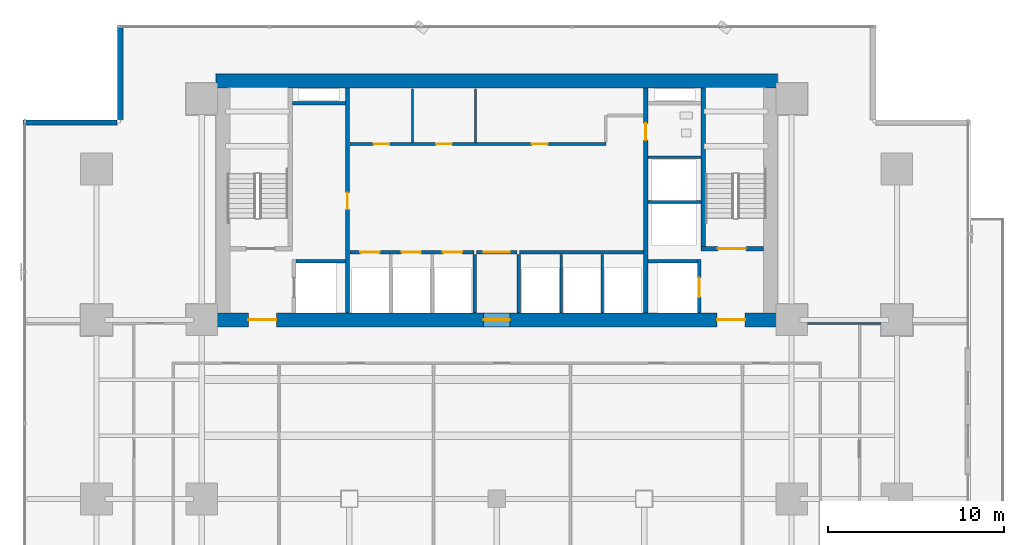
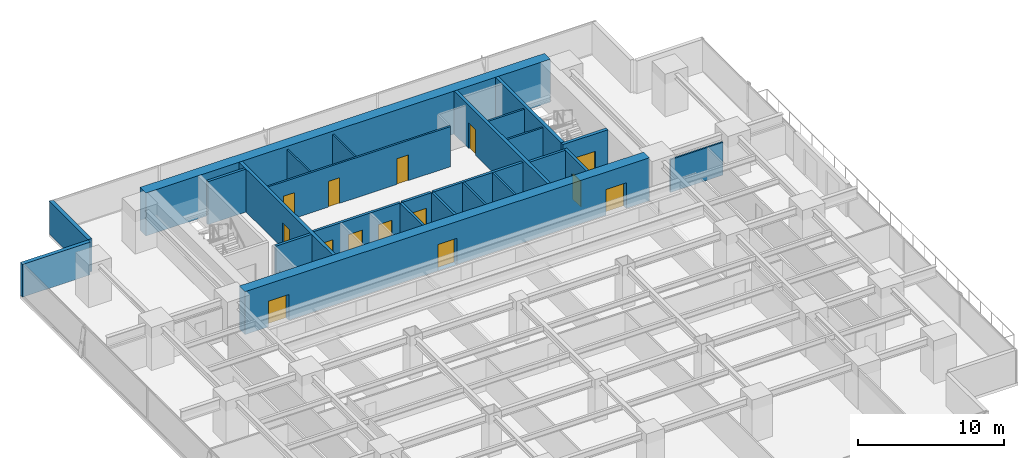
# One storey, part 26 of 33: 25 walls, 14 doors, 14 openings.
"""IFC4 building model written with IfcOpenShell, lengths in metres."""

from ifc_helpers import new_model, si_unit, direction, frame, frame_2d, origin, place, context, subcontext, project, spatial, rectangle, extrude, source, transform, mapped, material, layer, layer_set, type_object, element, fill, save


model = new_model("IFC4")

# Units and contexts
model_context = context("Model", 3, precision=1e-05, world=origin(), true_north=direction((0.0, 1.0)))
body_context = subcontext(model_context, "Body", "Model", "MODEL_VIEW")
ifc_project = project(units=[si_unit("LENGTHUNIT", "METRE"), si_unit("AREAUNIT", "SQUARE_METRE"), si_unit("VOLUMEUNIT", "CUBIC_METRE"), si_unit("PLANEANGLEUNIT", "RADIAN"), si_unit("MASSUNIT", "GRAM", prefix="KILO")], contexts=[model_context])

# Site, building, storey
site_placement = place(None, origin())
site = spatial("IfcSite", under=ifc_project, at=site_placement, CompositionType="ELEMENT")
building_placement = place(site_placement, origin())
building = spatial("IfcBuilding", under=site, at=building_placement, Name="Sumidabori Civic Tower", CompositionType="ELEMENT")
storey_placement = place(building_placement, frame((0.0, 0.0, 23.60009765625)))
storey = spatial("IfcBuildingStorey", under=building, at=storey_placement, Name="L05", CompositionType="ELEMENT", Elevation=23.60009765625)

# Wall
ifc_material_1 = material(Name="Concrete C60/75", Category="concrete")
ifc_layer_1 = layer(ifc_material_1, 0.800048828125, Name="Concrete C60/75")
ifc_layer_set_1 = layer_set([ifc_layer_1], Name="Concrete C60/75")
wall_type_1 = type_object("IfcWallType", Name="WL-CORE-800", PredefinedType="SHEAR", material=ifc_layer_set_1)
shared_shape_1 = source(origin(), body_context, "Body", "SweptSolid", [
    extrude(rectangle(XDim=32.0, YDim=0.800048828125, at=frame_2d((16.0, 0.0))), origin(), (0.0, 0.0, 1.0), 3.599853515625),
])
wall_1_placement = place(storey_placement, frame((-16.0, 23.800048828125, 0.0), z_axis=(0.0, 0.0, 1.0), x_axis=(1.0, 0.0, 0.0)))
element("IfcWall", 1, at=wall_1_placement, inside=storey, type_object=wall_type_1, Name="Core Shear Wall L05 N", PredefinedType="SHEAR", context=body_context, shape_type="MappedRepresentation", body=[
    mapped(shared_shape_1, transform((0.0, 0.0, 0.0), x_axis=(1.0, 0.0, 0.0), y_axis=(0.0, 1.0, 0.0), z_axis=(0.0, 0.0, 1.0), scale=1.0)),
])

# Wall, openings, doors
wall_2_placement = place(storey_placement, frame((-16.0, 10.199951171875, 0.0), z_axis=(0.0, 0.0, 1.0), x_axis=(1.0, 0.0, 0.0)))
wall_2 = element("IfcWall", 2, at=wall_2_placement, inside=storey, type_object=wall_type_1, Name="Core Shear Wall L05 S", PredefinedType="SHEAR", context=body_context, shape_type="MappedRepresentation", body=[
    mapped(shared_shape_1, transform((0.0, 0.0, 0.0), x_axis=(1.0, 0.0, 0.0), y_axis=(0.0, 1.0, 0.0), z_axis=(0.0, 0.0, 1.0), scale=1.0)),
])
opening_1_placement = place(wall_2_placement, frame((1.85009765625, 0.0, 0.0)))
opening_1 = element("IfcOpeningElement", 3, at=opening_1_placement, cuts=wall_2, Name="Opening DR-FD4", PredefinedType="OPENING", context=body_context, shape_type="SweptSolid", body=[
    extrude(rectangle(XDim=1.60009765625, YDim=2.14990234375, at=frame_2d((0.800048828125, 1.074951171875))), frame((0.0, 0.412109375, 0.0), z_axis=(0.0, -1.0, 0.0), x_axis=(1.0, 0.0, 0.0)), (0.0, 0.0, 1.0), 0.823974609375),
])
opening_2_placement = place(wall_2_placement, frame((28.550048828125, 0.0, 0.0)))
opening_2 = element("IfcOpeningElement", 4, at=opening_2_placement, cuts=wall_2, Name="Opening DR-FD4", PredefinedType="OPENING", context=body_context, shape_type="SweptSolid", body=[
    extrude(rectangle(XDim=1.60009765625, YDim=2.14990234375, at=frame_2d((0.800048828125, 1.074951171875))), frame((0.0, 0.412109375, 0.0), z_axis=(0.0, -1.0, 0.0), x_axis=(1.0, 0.0, 0.0)), (0.0, 0.0, 1.0), 0.823974609375),
])
opening_3_placement = place(wall_2_placement, frame((15.25, 0.0, 0.0)))
opening_3 = element("IfcOpeningElement", 5, at=opening_3_placement, cuts=wall_2, Name="Opening DR-FD3", PredefinedType="OPENING", context=body_context, shape_type="SweptSolid", body=[
    extrude(rectangle(XDim=1.5, YDim=2.199951171875, at=frame_2d((0.75, 1.10009765625))), frame((0.0, 0.412109375, 0.0), z_axis=(0.0, -1.0, 0.0), x_axis=(1.0, 0.0, 0.0)), (0.0, 0.0, 1.0), 0.823974609375),
])
ifc_material_2 = material(Name="Steel SN490", Category="steel")
door_type_1 = type_object("IfcDoorType", Name="DR-FD4", OperationType="DOUBLE_DOOR_SINGLE_SWING", PredefinedType="DOOR", material=ifc_material_2)
shared_shape_2 = source(origin(), body_context, "Body", "SweptSolid", [
    extrude(rectangle(XDim=1.60009765625, YDim=2.14990234375, at=frame_2d((0.800048828125, 1.074951171875))), frame((0.0, 0.02490234375, 0.0), z_axis=(0.0, -1.0, 0.0), x_axis=(1.0, 0.0, 0.0)), (0.0, 0.0, 1.0), 0.050048828125),
])
door_1_placement = place(opening_1_placement, origin())
door_1 = element("IfcDoor", 6, at=door_1_placement, inside=storey, type_object=door_type_1, Name="Door DR:L05:ELOB-W", OperationType="DOUBLE_DOOR_SINGLE_SWING", OverallHeight=2.14990234375, OverallWidth=1.60009765625, PredefinedType="DOOR", context=body_context, shape_type="MappedRepresentation", body=[
    mapped(shared_shape_2, transform((0.0, 0.0, 0.0), x_axis=(1.0, 0.0, 0.0), y_axis=(0.0, 1.0, 0.0), z_axis=(0.0, 0.0, 1.0), scale=1.0)),
])
fill(opening_1, door_1)
door_2_placement = place(opening_2_placement, origin())
door_2 = element("IfcDoor", 7, at=door_2_placement, inside=storey, type_object=door_type_1, Name="Door DR:L05:ELOB-E", OperationType="DOUBLE_DOOR_SINGLE_SWING", OverallHeight=2.14990234375, OverallWidth=1.60009765625, PredefinedType="DOOR", context=body_context, shape_type="MappedRepresentation", body=[
    mapped(shared_shape_2, transform((0.0, 0.0, 0.0), x_axis=(1.0, 0.0, 0.0), y_axis=(0.0, 1.0, 0.0), z_axis=(0.0, 0.0, 1.0), scale=1.0)),
])
fill(opening_2, door_2)
door_type_2 = type_object("IfcDoorType", Name="DR-FD-DBL", OperationType="DOUBLE_DOOR_SINGLE_SWING", PredefinedType="DOOR", material=ifc_material_2)
shared_shape_3 = source(origin(), body_context, "Body", "SweptSolid", [
    extrude(rectangle(XDim=1.5, YDim=2.199951171875, at=frame_2d((0.75, 1.10009765625))), frame((0.0, 0.02490234375, 0.0), z_axis=(0.0, -1.0, 0.0), x_axis=(1.0, 0.0, 0.0)), (0.0, 0.0, 1.0), 0.050048828125),
])
door_3_placement = place(opening_3_placement, origin())
door_3 = element("IfcDoor", 8, at=door_3_placement, inside=storey, type_object=door_type_2, Name="Door DR:L05:THROAT-OUT", OperationType="DOUBLE_DOOR_SINGLE_SWING", OverallHeight=2.199951171875, OverallWidth=1.5, PredefinedType="DOOR", context=body_context, shape_type="MappedRepresentation", body=[
    mapped(shared_shape_3, transform((0.0, 0.0, 0.0), x_axis=(1.0, 0.0, 0.0), y_axis=(0.0, 1.0, 0.0), z_axis=(0.0, 0.0, 1.0), scale=1.0)),
])
fill(opening_3, door_3)

# Wall, opening, door
ifc_material_3 = material(Name="Concrete C50/60", Category="concrete")
ifc_layer_2 = layer(ifc_material_3, 0.25, Name="Concrete C50/60")
ifc_layer_set_2 = layer_set([ifc_layer_2], Name="Concrete C50/60")
wall_type_2 = type_object("IfcWallType", Name="WL-SHAFT-250", PredefinedType="SHEAR", material=ifc_layer_set_2)
shared_shape_4 = source(origin(), body_context, "Body", "SweptSolid", [
    extrude(rectangle(XDim=12.7998046875, YDim=0.25, at=frame_2d((6.39990234375, 0.0))), origin(), (0.0, 0.0, 1.0), 3.599853515625),
])
wall_3_placement = place(storey_placement, frame((-8.5, 10.60009765625, 0.0), z_axis=(0.0, 0.0, 1.0), x_axis=(0.0, 1.0, 0.0)))
wall_3 = element("IfcWall", 9, at=wall_3_placement, inside=storey, type_object=wall_type_2, Name="Core Shear Wall L05 WEB-W", PredefinedType="SHEAR", context=body_context, shape_type="MappedRepresentation", body=[
    mapped(shared_shape_4, transform((0.0, 0.0, 0.0), x_axis=(1.0, 0.0, 0.0), y_axis=(0.0, 1.0, 0.0), z_axis=(0.0, 0.0, 1.0), scale=1.0)),
])
opening_4_placement = place(wall_3_placement, frame((5.89990234375, 0.0, 0.0)))
opening_4 = element("IfcOpeningElement", 10, at=opening_4_placement, cuts=wall_3, Name="Opening DR-FD2", PredefinedType="OPENING", context=body_context, shape_type="SweptSolid", body=[
    extrude(rectangle(XDim=0.949951171875, YDim=2.14990234375, at=frame_2d((0.47509765625, 1.074951171875))), frame((0.0, 0.136962890625, 0.0), z_axis=(0.0, -1.0, 0.0), x_axis=(1.0, 0.0, 0.0)), (0.0, 0.0, 1.0), 0.27392578125),
])
door_type_3 = type_object("IfcDoorType", Name="DR-FD2", OperationType="NOTDEFINED", PredefinedType="DOOR", material=ifc_material_2)
shared_shape_5 = source(origin(), body_context, "Body", "SweptSolid", [
    extrude(rectangle(XDim=0.949951171875, YDim=2.14990234375, at=frame_2d((0.47509765625, 1.074951171875))), frame((0.0, 0.02490234375, 0.0), z_axis=(0.0, -1.0, 0.0), x_axis=(1.0, 0.0, 0.0)), (0.0, 0.0, 1.0), 0.050048828125),
])
door_4_placement = place(opening_4_placement, origin())
door_4 = element("IfcDoor", 11, at=door_4_placement, inside=storey, type_object=door_type_3, Name="Door DR:L05:CW-STR", OperationType="SINGLE_SWING_LEFT", OverallHeight=2.14990234375, OverallWidth=0.949951171875, PredefinedType="DOOR", context=body_context, shape_type="MappedRepresentation", body=[
    mapped(shared_shape_5, transform((0.0, 0.0, 0.0), x_axis=(1.0, 0.0, 0.0), y_axis=(0.0, 1.0, 0.0), z_axis=(0.0, 0.0, 1.0), scale=1.0)),
])
fill(opening_4, door_4)

wall_4_placement = place(storey_placement, frame((8.5, 10.60009765625, 0.0), z_axis=(0.0, 0.0, 1.0), x_axis=(0.0, 1.0, 0.0)))
wall_4 = element("IfcWall", 12, at=wall_4_placement, inside=storey, type_object=wall_type_2, Name="Core Shear Wall L05 WEB-E", PredefinedType="SHEAR", context=body_context, shape_type="MappedRepresentation", body=[
    mapped(shared_shape_4, transform((0.0, 0.0, 0.0), x_axis=(1.0, 0.0, 0.0), y_axis=(0.0, 1.0, 0.0), z_axis=(0.0, 0.0, 1.0), scale=1.0)),
])
opening_5_placement = place(wall_4_placement, frame((9.85009765625, 0.0, 0.0)))
opening_5 = element("IfcOpeningElement", 13, at=opening_5_placement, cuts=wall_4, Name="Opening DR-2", PredefinedType="OPENING", context=body_context, shape_type="SweptSolid", body=[
    extrude(rectangle(XDim=0.949951171875, YDim=2.14990234375, at=frame_2d((0.47509765625, 1.074951171875))), frame((0.0, 0.136962890625, 0.0), z_axis=(0.0, -1.0, 0.0), x_axis=(1.0, 0.0, 0.0)), (0.0, 0.0, 1.0), 0.27392578125),
])
ifc_material_4 = material(Name="Japanese Hinoki Timber", Category="wood")
door_type_4 = type_object("IfcDoorType", Name="DR-INT-950", OperationType="NOTDEFINED", PredefinedType="DOOR", material=ifc_material_4)
shared_shape_6 = source(origin(), body_context, "Body", "SweptSolid", [
    extrude(rectangle(XDim=0.949951171875, YDim=2.14990234375, at=frame_2d((0.47509765625, 1.074951171875))), frame((0.0, 0.02490234375, 0.0), z_axis=(0.0, -1.0, 0.0), x_axis=(1.0, 0.0, 0.0)), (0.0, 0.0, 1.0), 0.050048828125),
])
door_5_placement = place(opening_5_placement, origin())
door_5 = element("IfcDoor", 14, at=door_5_placement, inside=storey, type_object=door_type_4, Name="Door DR:L05:WC-ACC", OperationType="SINGLE_SWING_RIGHT", OverallHeight=2.14990234375, OverallWidth=0.949951171875, PredefinedType="DOOR", context=body_context, shape_type="MappedRepresentation", body=[
    mapped(shared_shape_6, transform((0.0, 0.0, 0.0), x_axis=(1.0, 0.0, 0.0), y_axis=(0.0, 1.0, 0.0), z_axis=(0.0, 0.0, 1.0), scale=1.0)),
])
fill(opening_5, door_5)

shared_shape_7 = source(origin(), body_context, "Body", "SweptSolid", [
    extrude(rectangle(XDim=3.554931640625, YDim=0.25, at=frame_2d((1.77734375, 0.0))), origin(), (0.0, 0.0, 1.0), 3.599853515625),
])
wall_5_placement = place(storey_placement, frame((11.64501953125, 14.25, 0.0), z_axis=(0.0, 0.0, 1.0), x_axis=(1.0, 0.0, 0.0)))
wall_5 = element("IfcWall", 15, at=wall_5_placement, inside=storey, type_object=wall_type_2, Name="Core Shear Wall L05 ST2-S", PredefinedType="SHEAR", context=body_context, shape_type="MappedRepresentation", body=[
    mapped(shared_shape_7, transform((0.0, 0.0, 0.0), x_axis=(1.0, 0.0, 0.0), y_axis=(0.0, 1.0, 0.0), z_axis=(0.0, 0.0, 1.0), scale=1.0)),
])
opening_6_placement = place(wall_5_placement, frame((0.949951171875, 0.0, 0.0)))
opening_6 = element("IfcOpeningElement", 16, at=opening_6_placement, cuts=wall_5, Name="Opening DR-FD4", PredefinedType="OPENING", context=body_context, shape_type="SweptSolid", body=[
    extrude(rectangle(XDim=1.60009765625, YDim=2.14990234375, at=frame_2d((0.800048828125, 1.074951171875))), frame((0.0, 0.136962890625, 0.0), z_axis=(0.0, -1.0, 0.0), x_axis=(1.0, 0.0, 0.0)), (0.0, 0.0, 1.0), 0.27392578125),
])
door_6_placement = place(opening_6_placement, origin())
door_6 = element("IfcDoor", 17, at=door_6_placement, inside=storey, type_object=door_type_1, Name="Door DR:L05:ST2", OperationType="DOUBLE_DOOR_SINGLE_SWING", OverallHeight=2.14990234375, OverallWidth=1.60009765625, PredefinedType="DOOR", context=body_context, shape_type="MappedRepresentation", body=[
    mapped(shared_shape_2, transform((0.0, 0.0, 0.0), x_axis=(1.0, 0.0, 0.0), y_axis=(0.0, 1.0, 0.0), z_axis=(0.0, 0.0, 1.0), scale=1.0)),
])
fill(opening_6, door_6)

# Wall
shared_shape_8 = source(origin(), body_context, "Body", "SweptSolid", [
    extrude(rectangle(XDim=9.02490234375, YDim=0.25, at=frame_2d((4.512451171875, 0.0))), origin(), (0.0, 0.0, 1.0), 3.599853515625),
])
wall_6_placement = place(storey_placement, frame((11.77001953125, 14.375, 0.0), z_axis=(0.0, 0.0, 1.0), x_axis=(0.0, 1.0, 0.0)))
element("IfcWall", 18, at=wall_6_placement, inside=storey, type_object=wall_type_2, Name="Core Shear Wall L05 ST2-W", PredefinedType="SHEAR", context=body_context, shape_type="MappedRepresentation", body=[
    mapped(shared_shape_8, transform((0.0, 0.0, 0.0), x_axis=(1.0, 0.0, 0.0), y_axis=(0.0, 1.0, 0.0), z_axis=(0.0, 0.0, 1.0), scale=1.0)),
])

# Wall, opening, door
ifc_layer_3 = layer(ifc_material_3, 0.199951171875, Name="Concrete C50/60")
ifc_layer_set_3 = layer_set([ifc_layer_3], Name="Concrete C50/60")
wall_type_3 = type_object("IfcWallType", Name="WL-SHAFT-200", PredefinedType="SHEAR", material=ifc_layer_set_3)
shared_shape_9 = source(origin(), body_context, "Body", "SweptSolid", [
    extrude(rectangle(XDim=3.0498046875, YDim=0.199951171875, at=frame_2d((1.52490234375, 0.0))), origin(), (0.0, 0.0, 1.0), 3.599853515625),
])
wall_7_placement = place(storey_placement, frame((11.550048828125, 10.60009765625, 0.0), z_axis=(0.0, 0.0, 1.0), x_axis=(0.0, 1.0, 0.0)))
wall_7 = element("IfcWall", 19, at=wall_7_placement, inside=storey, type_object=wall_type_3, Name="Core Shear Wall L05 EL2-E", PredefinedType="SHEAR", context=body_context, shape_type="MappedRepresentation", body=[
    mapped(shared_shape_9, transform((0.0, 0.0, 0.0), x_axis=(1.0, 0.0, 0.0), y_axis=(0.0, 1.0, 0.0), z_axis=(0.0, 0.0, 1.0), scale=1.0)),
])
opening_7_placement = place(wall_7_placement, frame((0.89990234375, 0.0, 0.0)))
opening_7 = element("IfcOpeningElement", 20, at=opening_7_placement, cuts=wall_7, Name="Opening LD-2", PredefinedType="OPENING", context=body_context, shape_type="SweptSolid", body=[
    extrude(rectangle(XDim=1.10009765625, YDim=2.14990234375, at=frame_2d((0.550048828125, 1.074951171875))), frame((0.0, 0.11181640625, 0.0), z_axis=(0.0, -1.0, 0.0), x_axis=(1.0, 0.0, 0.0)), (0.0, 0.0, 1.0), 0.223876953125),
])
ifc_material_5 = material(Name="Stainless Steel Hairline Finish", Category="steel")
door_type_5 = type_object("IfcDoorType", Name="DR-LD2", OperationType="DOUBLE_DOOR_SLIDING", PredefinedType="DOOR", material=ifc_material_5)
shared_shape_10 = source(origin(), body_context, "Body", "SweptSolid", [
    extrude(rectangle(XDim=1.10009765625, YDim=2.14990234375, at=frame_2d((0.550048828125, 1.074951171875))), frame((0.0, 0.02490234375, 0.0), z_axis=(0.0, -1.0, 0.0), x_axis=(1.0, 0.0, 0.0)), (0.0, 0.0, 1.0), 0.050048828125),
])
door_7_placement = place(opening_7_placement, origin())
door_7 = element("IfcDoor", 21, at=door_7_placement, inside=storey, type_object=door_type_5, Name="Door DR:L05:LD-EL2", OperationType="DOUBLE_DOOR_SLIDING", OverallHeight=2.14990234375, OverallWidth=1.10009765625, PredefinedType="DOOR", context=body_context, shape_type="MappedRepresentation", body=[
    mapped(shared_shape_10, transform((0.0, 0.0, 0.0), x_axis=(1.0, 0.0, 0.0), y_axis=(0.0, 1.0, 0.0), z_axis=(0.0, 0.0, 1.0), scale=1.0)),
])
fill(opening_7, door_7)

# Walls
shared_shape_11 = source(origin(), body_context, "Body", "SweptSolid", [
    extrude(rectangle(XDim=2.824951171875, YDim=0.199951171875, at=frame_2d((1.41259765625, 0.0))), origin(), (0.0, 0.0, 1.0), 3.599853515625),
])
for number, where, z_axis, x_axis, name in (
    (22, (-11.449951171875, 13.550048828125, 0.0), (0.0, 0.0, 1.0), (1.0, 0.0, 0.0), "Core Shear Wall L05 EL1-N"),
    (23, (8.625, 13.550048828125, 0.0), (0.0, 0.0, 1.0), (1.0, 0.0, 0.0), "Core Shear Wall L05 EL2-N"),
):
    element("IfcWall", number, at=place(storey_placement, frame(where, z_axis=z_axis, x_axis=x_axis)), inside=storey, type_object=wall_type_3, Name=name, PredefinedType="SHEAR", context=body_context, shape_type="MappedRepresentation", body=[
        mapped(shared_shape_11, transform((0.0, 0.0, 0.0), x_axis=(1.0, 0.0, 0.0), y_axis=(0.0, 1.0, 0.0), z_axis=(0.0, 0.0, 1.0), scale=1.0)),
    ])
shared_shape_12 = source(origin(), body_context, "Body", "SweptSolid", [
    extrude(rectangle(XDim=3.02001953125, YDim=0.199951171875, at=frame_2d((1.510009765625, 0.0))), origin(), (0.0, 0.0, 1.0), 3.599853515625),
])
wall_8_placement = place(storey_placement, frame((-11.64501953125, 22.550048828125, 0.0), z_axis=(0.0, 0.0, 1.0), x_axis=(1.0, 0.0, 0.0)))
element("IfcWall", 24, at=wall_8_placement, inside=storey, type_object=wall_type_3, Name="Core Shear Wall L05 RIS1-S", PredefinedType="SHEAR", context=body_context, shape_type="MappedRepresentation", body=[
    mapped(shared_shape_12, transform((0.0, 0.0, 0.0), x_axis=(1.0, 0.0, 0.0), y_axis=(0.0, 1.0, 0.0), z_axis=(0.0, 0.0, 1.0), scale=1.0)),
])
ifc_material_6 = material(Name="Precast concrete C40/50", Category="concrete")
ifc_layer_4 = layer(ifc_material_6, 0.300048828125, Name="Precast concrete C40/50")
ifc_layer_set_4 = layer_set([ifc_layer_4], Name="Precast concrete C40/50")
wall_type_4 = type_object("IfcWallType", Name="WL-EXT-POD300", PredefinedType="STANDARD", material=ifc_layer_set_4)
shared_shape_13 = source(origin(), body_context, "Body", "SweptSolid", [
    extrude(rectangle(XDim=5.35986328125, YDim=0.300048828125, at=frame_2d((2.679931640625, 0.0))), origin(), (0.0, 0.0, 1.0), 2.739990234375),
])
for number, where, z_axis, x_axis, name in (
    (25, (-21.449951171875, 26.97998046875, 0.0), (0.0, 0.0, 1.0), (0.0, -1.0, 0.0), "Notched Corner Spandrel Band L05-09"),
    (26, (-21.6201171875, 21.449951171875, 0.0), (0.0, 0.0, 1.0), (-1.0, 0.0, 0.0), "Notched Corner Spandrel Band L05-10"),
):
    element("IfcWall", number, at=place(storey_placement, frame(where, z_axis=z_axis, x_axis=x_axis)), inside=storey, type_object=wall_type_4, Name=name, PredefinedType="STANDARD", context=body_context, shape_type="MappedRepresentation", body=[
        mapped(shared_shape_13, transform((0.0, 0.0, 0.0), x_axis=(1.0, 0.0, 0.0), y_axis=(0.0, 1.0, 0.0), z_axis=(0.0, 0.0, 1.0), scale=1.0)),
    ])
ifc_material_7 = material(Name="Gypsum Plasterboard Acoustic Partition")
ifc_layer_5 = layer(ifc_material_7, 0.14990234375, Name="Gypsum Plasterboard Acoustic Partition")
ifc_layer_set_5 = layer_set([ifc_layer_5], Name="Gypsum Plasterboard Acoustic Partition")
wall_type_5 = type_object("IfcWallType", Name="WL-PART-150", PredefinedType="PARTITIONING", material=ifc_layer_set_5)
shared_shape_14 = source(origin(), body_context, "Body", "SweptSolid", [
    extrude(rectangle(XDim=3.010009765625, YDim=0.14990234375, at=frame_2d((1.5048828125, 0.0))), origin(), (0.0, 0.0, 1.0), 3.35986328125),
])
for number, where, z_axis, x_axis, name in (
    (27, (8.6298828125, 16.919921875, 0.0), (0.0, 0.0, 1.0), (1.0, 0.0, 0.0), "Interior Partition WL:L05:DIV-OBS1"),
    (28, (8.6298828125, 19.469970703125, 0.0), (0.0, 0.0, 1.0), (1.0, 0.0, 0.0), "Interior Partition WL:L05:DIV-OBS2"),
):
    element("IfcWall", number, at=place(storey_placement, frame(where, z_axis=z_axis, x_axis=x_axis)), inside=storey, type_object=wall_type_5, Name=name, PredefinedType="PARTITIONING", context=body_context, shape_type="MappedRepresentation", body=[
        mapped(shared_shape_14, transform((0.0, 0.0, 0.0), x_axis=(1.0, 0.0, 0.0), y_axis=(0.0, 1.0, 0.0), z_axis=(0.0, 0.0, 1.0), scale=1.0)),
    ])

# Wall, openings, doors
ifc_material_8 = material(Name="Gypsum Plasterboard Fire Partition")
ifc_layer_6 = layer(ifc_material_8, 0.199951171875, Name="Gypsum Plasterboard Fire Partition")
ifc_layer_set_6 = layer_set([ifc_layer_6], Name="Gypsum Plasterboard Fire Partition")
wall_type_6 = type_object("IfcWallType", Name="WL-PART-FIRE", PredefinedType="PARTITIONING", material=ifc_layer_set_6)
shared_shape_15 = source(origin(), body_context, "Body", "SweptSolid", [
    extrude(rectangle(XDim=7.070068359375, YDim=0.199951171875, at=frame_2d((3.53515625, 0.0))), origin(), (0.0, 0.0, 1.0), 3.35986328125),
])
wall_9_placement = place(storey_placement, frame((-8.3701171875, 14.050048828125, 0.0), z_axis=(0.0, 0.0, 1.0), x_axis=(1.0, 0.0, 0.0)))
wall_9 = element("IfcWall", 29, at=wall_9_placement, inside=storey, type_object=wall_type_6, Name="Interior Partition WL:L05:CBAND-SW", PredefinedType="PARTITIONING", context=body_context, shape_type="MappedRepresentation", body=[
    mapped(shared_shape_15, transform((0.0, 0.0, 0.0), x_axis=(1.0, 0.0, 0.0), y_axis=(0.0, 1.0, 0.0), z_axis=(0.0, 0.0, 1.0), scale=1.0)),
])
opening_8_placement = place(wall_9_placement, frame((0.60009765625, 0.0, 0.0)))
opening_8 = element("IfcOpeningElement", 30, at=opening_8_placement, cuts=wall_9, Name="Opening LD-1", PredefinedType="OPENING", context=body_context, shape_type="SweptSolid", body=[
    extrude(rectangle(XDim=1.10009765625, YDim=2.14990234375, at=frame_2d((0.550048828125, 1.074951171875))), frame((0.0, 0.11181640625, 0.0), z_axis=(0.0, -1.0, 0.0), x_axis=(1.0, 0.0, 0.0)), (0.0, 0.0, 1.0), 0.223876953125),
])
opening_9_placement = place(wall_9_placement, frame((2.949951171875, 0.0, 0.0)))
opening_9 = element("IfcOpeningElement", 31, at=opening_9_placement, cuts=wall_9, Name="Opening LD-1", PredefinedType="OPENING", context=body_context, shape_type="SweptSolid", body=[
    extrude(rectangle(XDim=1.10009765625, YDim=2.14990234375, at=frame_2d((0.550048828125, 1.074951171875))), frame((0.0, 0.11181640625, 0.0), z_axis=(0.0, -1.0, 0.0), x_axis=(1.0, 0.0, 0.0)), (0.0, 0.0, 1.0), 0.223876953125),
])
opening_10_placement = place(wall_9_placement, frame((5.300048828125, 0.0, 0.0)))
opening_10 = element("IfcOpeningElement", 32, at=opening_10_placement, cuts=wall_9, Name="Opening LD-1", PredefinedType="OPENING", context=body_context, shape_type="SweptSolid", body=[
    extrude(rectangle(XDim=1.10009765625, YDim=2.14990234375, at=frame_2d((0.550048828125, 1.074951171875))), frame((0.0, 0.11181640625, 0.0), z_axis=(0.0, -1.0, 0.0), x_axis=(1.0, 0.0, 0.0)), (0.0, 0.0, 1.0), 0.223876953125),
])
door_type_6 = type_object("IfcDoorType", Name="DR-LD1", OperationType="DOUBLE_DOOR_SLIDING", PredefinedType="DOOR", material=ifc_material_5)
door_8_placement = place(opening_8_placement, origin())
door_8 = element("IfcDoor", 33, at=door_8_placement, inside=storey, type_object=door_type_6, Name="Door DR:L05:LD-PLL1", OperationType="DOUBLE_DOOR_SLIDING", OverallHeight=2.14990234375, OverallWidth=1.10009765625, PredefinedType="DOOR", context=body_context, shape_type="MappedRepresentation", body=[
    mapped(shared_shape_10, transform((0.0, 0.0, 0.0), x_axis=(1.0, 0.0, 0.0), y_axis=(0.0, 1.0, 0.0), z_axis=(0.0, 0.0, 1.0), scale=1.0)),
])
fill(opening_8, door_8)
door_9_placement = place(opening_9_placement, origin())
door_9 = element("IfcDoor", 34, at=door_9_placement, inside=storey, type_object=door_type_6, Name="Door DR:L05:LD-PLL2", OperationType="DOUBLE_DOOR_SLIDING", OverallHeight=2.14990234375, OverallWidth=1.10009765625, PredefinedType="DOOR", context=body_context, shape_type="MappedRepresentation", body=[
    mapped(shared_shape_10, transform((0.0, 0.0, 0.0), x_axis=(1.0, 0.0, 0.0), y_axis=(0.0, 1.0, 0.0), z_axis=(0.0, 0.0, 1.0), scale=1.0)),
])
fill(opening_9, door_9)
door_10_placement = place(opening_10_placement, origin())
door_10 = element("IfcDoor", 35, at=door_10_placement, inside=storey, type_object=door_type_6, Name="Door DR:L05:LD-PLL3", OperationType="DOUBLE_DOOR_SLIDING", OverallHeight=2.14990234375, OverallWidth=1.10009765625, PredefinedType="DOOR", context=body_context, shape_type="MappedRepresentation", body=[
    mapped(shared_shape_10, transform((0.0, 0.0, 0.0), x_axis=(1.0, 0.0, 0.0), y_axis=(0.0, 1.0, 0.0), z_axis=(0.0, 0.0, 1.0), scale=1.0)),
])
fill(opening_10, door_10)

# Walls
wall_10_placement = place(storey_placement, frame((1.300048828125, 14.050048828125, 0.0), z_axis=(0.0, 0.0, 1.0), x_axis=(1.0, 0.0, 0.0)))
element("IfcWall", 36, at=wall_10_placement, inside=storey, type_object=wall_type_6, Name="Interior Partition WL:L05:CBAND-SE", PredefinedType="PARTITIONING", context=body_context, shape_type="MappedRepresentation", body=[
    mapped(shared_shape_15, transform((0.0, 0.0, 0.0), x_axis=(1.0, 0.0, 0.0), y_axis=(0.0, 1.0, 0.0), z_axis=(0.0, 0.0, 1.0), scale=1.0)),
])
shared_shape_16 = source(origin(), body_context, "Body", "SweptSolid", [
    extrude(rectangle(XDim=3.33984375, YDim=0.199951171875, at=frame_2d((1.669921875, 0.0))), origin(), (0.0, 0.0, 1.0), 3.35986328125),
])
for number, where, z_axis, x_axis, name in (
    (37, (-1.25, 10.60009765625, 0.0), (0.0, 0.0, 1.0), (0.0, 1.0, 0.0), "Interior Partition WL:L05:THROAT-W"),
    (38, (1.25, 10.60009765625, 0.0), (0.0, 0.0, 1.0), (0.0, 1.0, 0.0), "Interior Partition WL:L05:THROAT-E"),
):
    element("IfcWall", number, at=place(storey_placement, frame(where, z_axis=z_axis, x_axis=x_axis)), inside=storey, type_object=wall_type_6, Name=name, PredefinedType="PARTITIONING", context=body_context, shape_type="MappedRepresentation", body=[
        mapped(shared_shape_16, transform((0.0, 0.0, 0.0), x_axis=(1.0, 0.0, 0.0), y_axis=(0.0, 1.0, 0.0), z_axis=(0.0, 0.0, 1.0), scale=1.0)),
    ])

# Wall, opening, door
shared_shape_17 = source(origin(), body_context, "Body", "SweptSolid", [
    extrude(rectangle(XDim=2.2998046875, YDim=0.199951171875, at=frame_2d((1.14990234375, 0.0))), origin(), (0.0, 0.0, 1.0), 3.35986328125),
])
wall_11_placement = place(storey_placement, frame((-1.14990234375, 14.050048828125, 0.0), z_axis=(0.0, 0.0, 1.0), x_axis=(1.0, 0.0, 0.0)))
wall_11 = element("IfcWall", 39, at=wall_11_placement, inside=storey, type_object=wall_type_6, Name="Interior Partition WL:L05:THROAT-N", PredefinedType="PARTITIONING", context=body_context, shape_type="MappedRepresentation", body=[
    mapped(shared_shape_17, transform((0.0, 0.0, 0.0), x_axis=(1.0, 0.0, 0.0), y_axis=(0.0, 1.0, 0.0), z_axis=(0.0, 0.0, 1.0), scale=1.0)),
])
opening_11_placement = place(wall_11_placement, frame((0.39990234375, 0.0, 0.0)))
opening_11 = element("IfcOpeningElement", 40, at=opening_11_placement, cuts=wall_11, Name="Opening DR-FD3", PredefinedType="OPENING", context=body_context, shape_type="SweptSolid", body=[
    extrude(rectangle(XDim=1.5, YDim=2.199951171875, at=frame_2d((0.75, 1.10009765625))), frame((0.0, 0.11181640625, 0.0), z_axis=(0.0, -1.0, 0.0), x_axis=(1.0, 0.0, 0.0)), (0.0, 0.0, 1.0), 0.223876953125),
])
door_11_placement = place(opening_11_placement, origin())
door_11 = element("IfcDoor", 41, at=door_11_placement, inside=storey, type_object=door_type_2, Name="Door DR:L05:THROAT-IN", OperationType="DOUBLE_DOOR_SINGLE_SWING", OverallHeight=2.199951171875, OverallWidth=1.5, PredefinedType="DOOR", context=body_context, shape_type="MappedRepresentation", body=[
    mapped(shared_shape_3, transform((0.0, 0.0, 0.0), x_axis=(1.0, 0.0, 0.0), y_axis=(0.0, 1.0, 0.0), z_axis=(0.0, 0.0, 1.0), scale=1.0)),
])
fill(opening_11, door_11)

# Wall, openings, doors
shared_shape_18 = source(origin(), body_context, "Body", "SweptSolid", [
    extrude(rectangle(XDim=14.590087890625, YDim=0.14990234375, at=frame_2d((7.294921875, 0.0))), origin(), (0.0, 0.0, 1.0), 3.35986328125),
])
wall_12_placement = place(storey_placement, frame((-8.3701171875, 20.219970703125, 0.0), z_axis=(0.0, 0.0, 1.0), x_axis=(1.0, 0.0, 0.0)))
wall_12 = element("IfcWall", 42, at=wall_12_placement, inside=storey, type_object=wall_type_5, Name="Interior Partition WL:L05:CBAND-M", PredefinedType="PARTITIONING", context=body_context, shape_type="MappedRepresentation", body=[
    mapped(shared_shape_18, transform((0.0, 0.0, 0.0), x_axis=(1.0, 0.0, 0.0), y_axis=(0.0, 1.0, 0.0), z_axis=(0.0, 0.0, 1.0), scale=1.0)),
])
opening_12_placement = place(wall_12_placement, frame((1.360107421875, 0.0, 0.0)))
opening_12 = element("IfcOpeningElement", 43, at=opening_12_placement, cuts=wall_12, Name="Opening DR-1", PredefinedType="OPENING", context=body_context, shape_type="SweptSolid", body=[
    extrude(rectangle(XDim=0.89990234375, YDim=2.14990234375, at=frame_2d((0.449951171875, 1.074951171875))), frame((0.0, 0.0869140625, 0.0), z_axis=(0.0, -1.0, 0.0), x_axis=(1.0, 0.0, 0.0)), (0.0, 0.0, 1.0), 0.173828125),
])
opening_13_placement = place(wall_12_placement, frame((4.919921875, 0.0, 0.0)))
opening_13 = element("IfcOpeningElement", 44, at=opening_13_placement, cuts=wall_12, Name="Opening DR-1", PredefinedType="OPENING", context=body_context, shape_type="SweptSolid", body=[
    extrude(rectangle(XDim=0.89990234375, YDim=2.14990234375, at=frame_2d((0.449951171875, 1.074951171875))), frame((0.0, 0.0869140625, 0.0), z_axis=(0.0, -1.0, 0.0), x_axis=(1.0, 0.0, 0.0)), (0.0, 0.0, 1.0), 0.173828125),
])
opening_14_placement = place(wall_12_placement, frame((10.3701171875, 0.0, 0.0)))
opening_14 = element("IfcOpeningElement", 45, at=opening_14_placement, cuts=wall_12, Name="Opening DR-1", PredefinedType="OPENING", context=body_context, shape_type="SweptSolid", body=[
    extrude(rectangle(XDim=0.89990234375, YDim=2.14990234375, at=frame_2d((0.449951171875, 1.074951171875))), frame((0.0, 0.0869140625, 0.0), z_axis=(0.0, -1.0, 0.0), x_axis=(1.0, 0.0, 0.0)), (0.0, 0.0, 1.0), 0.173828125),
])
door_type_7 = type_object("IfcDoorType", Name="DR-INT-900", OperationType="NOTDEFINED", PredefinedType="DOOR", material=ifc_material_4)
shared_shape_19 = source(origin(), body_context, "Body", "SweptSolid", [
    extrude(rectangle(XDim=0.89990234375, YDim=2.14990234375, at=frame_2d((0.449951171875, 1.074951171875))), frame((0.0, 0.02490234375, 0.0), z_axis=(0.0, -1.0, 0.0), x_axis=(1.0, 0.0, 0.0)), (0.0, 0.0, 1.0), 0.050048828125),
])
door_12_placement = place(opening_12_placement, origin())
door_12 = element("IfcDoor", 46, at=door_12_placement, inside=storey, type_object=door_type_7, Name="Door DR:L05:CB-1", OperationType="SINGLE_SWING_LEFT", OverallHeight=2.14990234375, OverallWidth=0.89990234375, PredefinedType="DOOR", context=body_context, shape_type="MappedRepresentation", body=[
    mapped(shared_shape_19, transform((0.0, 0.0, 0.0), x_axis=(1.0, 0.0, 0.0), y_axis=(0.0, 1.0, 0.0), z_axis=(0.0, 0.0, 1.0), scale=1.0)),
])
fill(opening_12, door_12)
door_13_placement = place(opening_13_placement, origin())
door_13 = element("IfcDoor", 47, at=door_13_placement, inside=storey, type_object=door_type_7, Name="Door DR:L05:CB-2", OperationType="SINGLE_SWING_RIGHT", OverallHeight=2.14990234375, OverallWidth=0.89990234375, PredefinedType="DOOR", context=body_context, shape_type="MappedRepresentation", body=[
    mapped(shared_shape_19, transform((0.0, 0.0, 0.0), x_axis=(1.0, 0.0, 0.0), y_axis=(0.0, 1.0, 0.0), z_axis=(0.0, 0.0, 1.0), scale=1.0)),
])
fill(opening_13, door_13)
door_14_placement = place(opening_14_placement, origin())
door_14 = element("IfcDoor", 48, at=door_14_placement, inside=storey, type_object=door_type_7, Name="Door DR:L05:CB-3", OperationType="SINGLE_SWING_LEFT", OverallHeight=2.14990234375, OverallWidth=0.89990234375, PredefinedType="DOOR", context=body_context, shape_type="MappedRepresentation", body=[
    mapped(shared_shape_19, transform((0.0, 0.0, 0.0), x_axis=(1.0, 0.0, 0.0), y_axis=(0.0, 1.0, 0.0), z_axis=(0.0, 0.0, 1.0), scale=1.0)),
])
fill(opening_14, door_14)

# Walls
shared_shape_20 = source(origin(), body_context, "Body", "SweptSolid", [
    extrude(rectangle(XDim=3.33984375, YDim=0.14990234375, at=frame_2d((1.669921875, 0.0))), origin(), (0.0, 0.0, 1.0), 3.35986328125),
])
for number, where, z_axis, x_axis, name in (
    (49, (3.669921875, 10.60009765625, 0.0), (0.0, 0.0, 1.0), (0.0, 1.0, 0.0), "Interior Partition WL:L05:DIV-PLM1"),
    (50, (6.02001953125, 10.60009765625, 0.0), (0.0, 0.0, 1.0), (0.0, 1.0, 0.0), "Interior Partition WL:L05:DIV-PLM2"),
):
    element("IfcWall", number, at=place(storey_placement, frame(where, z_axis=z_axis, x_axis=x_axis)), inside=storey, type_object=wall_type_5, Name=name, PredefinedType="PARTITIONING", context=body_context, shape_type="MappedRepresentation", body=[
        mapped(shared_shape_20, transform((0.0, 0.0, 0.0), x_axis=(1.0, 0.0, 0.0), y_axis=(0.0, 1.0, 0.0), z_axis=(0.0, 0.0, 1.0), scale=1.0)),
    ])
ifc_layer_7 = layer(ifc_material_7, 0.1201171875, Name="Gypsum Plasterboard Acoustic Partition")
ifc_layer_set_7 = layer_set([ifc_layer_7], Name="Gypsum Plasterboard Acoustic Partition")
wall_type_7 = type_object("IfcWallType", Name="WL-PART-120", PredefinedType="PARTITIONING", material=ifc_layer_set_7)
shared_shape_21 = source(origin(), body_context, "Body", "SweptSolid", [
    extrude(rectangle(XDim=3.0400390625, YDim=0.1201171875, at=frame_2d((1.52001953125, 0.0))), origin(), (0.0, 0.0, 1.0), 3.35986328125),
])
for number, where, z_axis, x_axis, name in (
    (51, (-4.800048828125, 20.320068359375, 0.0), (0.0, 0.0, 1.0), (0.0, 1.0, 0.0), "Interior Partition WL:L05:LV8-S1"),
    (52, (-1.199951171875, 20.320068359375, 0.0), (0.0, 0.0, 1.0), (0.0, 1.0, 0.0), "Interior Partition WL:L05:LV8-S2"),
):
    element("IfcWall", number, at=place(storey_placement, frame(where, z_axis=z_axis, x_axis=x_axis)), inside=storey, type_object=wall_type_7, Name=name, PredefinedType="PARTITIONING", context=body_context, shape_type="MappedRepresentation", body=[
        mapped(shared_shape_21, transform((0.0, 0.0, 0.0), x_axis=(1.0, 0.0, 0.0), y_axis=(0.0, 1.0, 0.0), z_axis=(0.0, 0.0, 1.0), scale=1.0)),
    ])
shared_shape_22 = source(origin(), body_context, "Body", "SweptSolid", [
    extrude(rectangle(XDim=4.179931640625, YDim=0.1201171875, at=frame_2d((2.08984375, 0.0))), origin(), (0.0, 0.0, 1.0), 2.744873046875),
])
wall_13_placement = place(storey_placement, frame((17.7099609375, 10.0, 0.0), z_axis=(0.0, 0.0, 1.0), x_axis=(1.0, 0.0, 0.0)))
element("IfcWall", 53, at=wall_13_placement, inside=storey, type_object=wall_type_7, Name="Interior Partition WL:L05:FLK-NE-1", PredefinedType="PARTITIONING", context=body_context, shape_type="MappedRepresentation", body=[
    mapped(shared_shape_22, transform((0.0, 0.0, 0.0), x_axis=(1.0, 0.0, 0.0), y_axis=(0.0, 1.0, 0.0), z_axis=(0.0, 0.0, 1.0), scale=1.0)),
])

save(model, "model.ifc")
